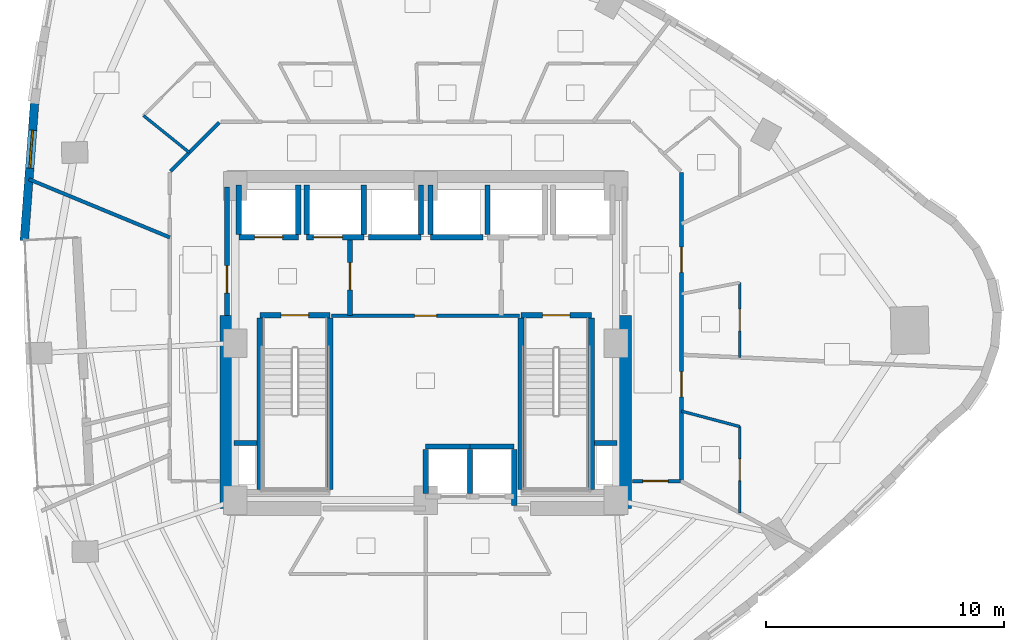
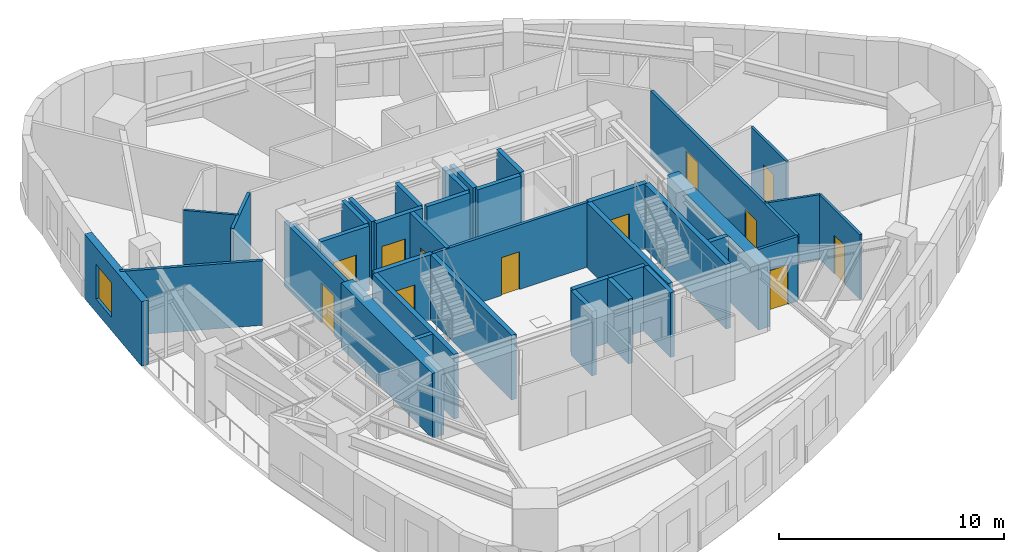
# One storey, part 6 of 12: 38 walls, 12 doors, 1 window, 13 openings.
"""IFC4 building model written with IfcOpenShell, lengths in metres."""

from ifc_helpers import new_model, si_unit, direction, frame, frame_2d, origin, place, context, subcontext, project, spatial, rectangle, extrude, material, layer, layer_set, type_object, element, fill, save


model = new_model("IFC4")

# Units and contexts
model_context = context("Model", 3, precision=1e-05, world=origin(), true_north=direction((0.0, 1.0)))
body_context = subcontext(model_context, "Body", "Model", "MODEL_VIEW")
ifc_project = project(units=[si_unit("LENGTHUNIT", "METRE"), si_unit("AREAUNIT", "SQUARE_METRE"), si_unit("VOLUMEUNIT", "CUBIC_METRE"), si_unit("PLANEANGLEUNIT", "RADIAN"), si_unit("MASSUNIT", "GRAM", prefix="KILO")], contexts=[model_context])

# Site, building, storey
site_placement = place(None, origin())
site = spatial("IfcSite", under=ifc_project, at=site_placement, CompositionType="ELEMENT")
building_placement = place(site_placement, origin())
building = spatial("IfcBuilding", under=site, at=building_placement, Name="Ndelora Gate Hotel", CompositionType="ELEMENT")
storey_placement = place(building_placement, frame((0.0, 0.0, 131.0)))
storey = spatial("IfcBuildingStorey", under=building, at=storey_placement, Name="L32", CompositionType="ELEMENT", Elevation=131.0)

# Wall, opening, window
ifc_material_1 = material(Name="Clay Brick Masonry", Category="masonry")
ifc_layer_1 = layer(ifc_material_1, 0.360107421875)
ifc_layer_set_1 = layer_set([ifc_layer_1], Name="Clay Brick Masonry")
wall_type_1 = type_object("IfcWallType", Name="WL-BRICK-360", PredefinedType="SOLIDWALL", material=ifc_layer_set_1)
wall_1_placement = place(storey_placement, frame((-16.866943359375, 4.29833984375, 0.0), z_axis=(0.0, 0.0, 1.0), x_axis=(0.074873276991, 0.997193056731, 0.0)))
wall_1 = element("IfcWall", 1, at=wall_1_placement, inside=storey, type_object=wall_type_1, Name="L32 Tower Brick Pier-and-Spandrel Wall TWR-11", PredefinedType="SOLIDWALL", context=body_context, shape_type="SweptSolid", body=[
    extrude(rectangle(XDim=5.826904296875, YDim=0.360107421875, at=frame_2d((2.91357421875, 0.0))), origin(), (0.0, 0.0, 1.0), 3.5),
])
opening_1_placement = place(wall_1_placement, frame((3.06005859375, 0.0, 0.719970703125)))
opening_1 = element("IfcOpeningElement", 2, at=opening_1_placement, cuts=wall_1, Name="Opening W01", PredefinedType="OPENING", context=body_context, shape_type="SweptSolid", body=[
    extrude(rectangle(XDim=1.60009765625, YDim=1.8798828125, at=frame_2d((0.800048828125, 0.93994140625))), frame((0.0, 0.18994140625, 0.0), z_axis=(0.0, -1.0, 0.0), x_axis=(1.0, 0.0, 0.0)), (0.0, 0.0, 1.0), 0.380126953125),
])
ifc_material_2 = material(Name="Insulated Low-E Double Glazing in Bronze Aluminium Frame", Category="aluminium")
window_type = type_object("IfcWindowType", Name="WN-DEEP-1600", PartitioningType="SINGLE_PANEL", PredefinedType="WINDOW", material=ifc_material_2)
window_placement = place(opening_1_placement, origin())
window = element("IfcWindow", 3, at=window_placement, inside=storey, type_object=window_type, Name="L32 Deep-Set Brick-Pier Window W01", OverallHeight=1.8798828125, OverallWidth=1.60009765625, PartitioningType="SINGLE_PANEL", PredefinedType="WINDOW", context=body_context, shape_type="SweptSolid", body=[
    extrude(rectangle(XDim=1.60009765625, YDim=1.8798828125, at=frame_2d((0.800048828125, 0.93994140625))), frame((0.0, 0.030029296875, 0.0), z_axis=(0.0, -1.0, 0.0), x_axis=(1.0, 0.0, 0.0)), (0.0, 0.0, 1.0), 0.06005859375),
])
fill(opening_1, window)

# Walls
ifc_material_3 = material(Name="Concrete C60/75", Category="concrete")
ifc_layer_2 = layer(ifc_material_3, 0.60009765625)
ifc_layer_set_2 = layer_set([ifc_layer_2], Name="Concrete C60/75")
wall_type_2 = type_object("IfcWallType", Name="WL-CORE-600", PredefinedType="SHEAR", material=ifc_layer_set_2)
for number, where, z_axis, x_axis, name in (
    (4, (-8.35009765625, -6.949951171875, 0.0), (0.0, 0.0, 1.0), (0.0, 1.0, 0.0), "L32 Core Shear Wall W"),
    (5, (8.35009765625, -6.949951171875, 0.0), (0.0, 0.0, 1.0), (0.0, 1.0, 0.0), "L32 Core Shear Wall E"),
):
    element("IfcWall", number, at=place(storey_placement, frame(where, z_axis=z_axis, x_axis=x_axis)), inside=storey, type_object=wall_type_2, Name=name, PredefinedType="SHEAR", context=body_context, shape_type="SweptSolid", body=[
        extrude(rectangle(XDim=8.099853515625, YDim=0.60009765625, at=frame_2d((4.0498046875, 0.0))), origin(), (0.0, 0.0, 1.0), 3.5),
    ])

# Wall, opening, door
ifc_material_4 = material(Name="Concrete C40/50", Category="concrete")
ifc_layer_3 = layer(ifc_material_4, 0.199951171875)
ifc_layer_set_3 = layer_set([ifc_layer_3], Name="Concrete C40/50")
wall_type_3 = type_object("IfcWallType", Name="WL-FIRE-200", PredefinedType="PARTITIONING", material=ifc_layer_set_3)
wall_2_placement = place(storey_placement, frame((-3.179931640625, 1.14990234375, 0.0), z_axis=(0.0, 0.0, 1.0), x_axis=(0.0, 1.0, 0.0)))
wall_2 = element("IfcWall", 6, at=wall_2_placement, inside=storey, type_object=wall_type_3, Name="L32 Interior Wall IW-2", PredefinedType="PARTITIONING", context=body_context, shape_type="SweptSolid", body=[
    extrude(rectangle(XDim=3.300048828125, YDim=0.199951171875, at=frame_2d((1.64990234375, 0.0))), origin(), (0.0, 0.0, 1.0), 3.5),
])
opening_2_placement = place(wall_2_placement, frame((1.080078125, 0.0, 0.0)))
opening_2 = element("IfcOpeningElement", 7, at=opening_2_placement, cuts=wall_2, Name="Opening FD1", PredefinedType="OPENING", context=body_context, shape_type="SweptSolid", body=[
    extrude(rectangle(XDim=1.14990234375, YDim=2.14990234375, at=frame_2d((0.574951171875, 1.074951171875))), frame((0.0, 0.10986328125, 0.0), z_axis=(0.0, -1.0, 0.0), x_axis=(1.0, 0.0, 0.0)), (0.0, 0.0, 1.0), 0.219970703125),
])
ifc_material_5 = material(Name="Fire-Rated Timber-Veneer Steel Core", Category="steel")
door_type_1 = type_object("IfcDoorType", Name="DR-FD60", OperationType="SINGLE_SWING_LEFT", PredefinedType="DOOR", material=ifc_material_5)
door_1_placement = place(opening_2_placement, origin())
door_1 = element("IfcDoor", 8, at=door_1_placement, inside=storey, type_object=door_type_1, Name="L32 Firefighting Lobby West Door", OperationType="SINGLE_SWING_RIGHT", OverallHeight=2.14990234375, OverallWidth=1.14990234375, PredefinedType="DOOR", context=body_context, shape_type="SweptSolid", body=[
    extrude(rectangle(XDim=1.14990234375, YDim=2.14990234375, at=frame_2d((0.574951171875, 1.074951171875))), frame((0.0, 0.02490234375, 0.0), z_axis=(0.0, -1.0, 0.0), x_axis=(1.0, 0.0, 0.0)), (0.0, 0.0, 1.0), 0.050048828125),
])
fill(opening_2, door_1)

wall_3_placement = place(storey_placement, frame((-8.35009765625, 1.14990234375, 0.0), z_axis=(0.0, 0.0, 1.0), x_axis=(0.0, 1.0, 0.0)))
wall_3 = element("IfcWall", 9, at=wall_3_placement, inside=storey, type_object=wall_type_3, Name="L32 Interior Wall IW-2", PredefinedType="PARTITIONING", context=body_context, shape_type="SweptSolid", body=[
    extrude(rectangle(XDim=5.400146484375, YDim=0.199951171875, at=frame_2d((2.7001953125, 0.0))), origin(), (0.0, 0.0, 1.0), 3.5),
])
opening_3_placement = place(wall_3_placement, frame((0.949951171875, 0.0, 0.0)))
opening_3 = element("IfcOpeningElement", 10, at=opening_3_placement, cuts=wall_3, Name="Opening FD1", PredefinedType="OPENING", context=body_context, shape_type="SweptSolid", body=[
    extrude(rectangle(XDim=1.14990234375, YDim=2.14990234375, at=frame_2d((0.574951171875, 1.074951171875))), frame((0.0, 0.10986328125, 0.0), z_axis=(0.0, -1.0, 0.0), x_axis=(1.0, 0.0, 0.0)), (0.0, 0.0, 1.0), 0.219970703125),
])
door_2_placement = place(opening_3_placement, origin())
door_2 = element("IfcDoor", 11, at=door_2_placement, inside=storey, type_object=door_type_1, Name="L32 Firefighting Lobby West Corridor Door", OperationType="SINGLE_SWING_LEFT", OverallHeight=2.14990234375, OverallWidth=1.14990234375, PredefinedType="DOOR", context=body_context, shape_type="SweptSolid", body=[
    extrude(rectangle(XDim=1.14990234375, YDim=2.14990234375, at=frame_2d((0.574951171875, 1.074951171875))), frame((0.0, 0.02490234375, 0.0), z_axis=(0.0, -1.0, 0.0), x_axis=(1.0, 0.0, 0.0)), (0.0, 0.0, 1.0), 0.050048828125),
])
fill(opening_3, door_2)

ifc_material_6 = material(Name="Fire-Rated Gypsum Stud Partition", Category="gypsum")
ifc_layer_4 = layer(ifc_material_6, 0.14990234375)
ifc_layer_set_4 = layer_set([ifc_layer_4], Name="Fire-Rated Gypsum Stud Partition")
wall_type_4 = type_object("IfcWallType", Name="WL-PART-150", PredefinedType="PARTITIONING", material=ifc_layer_set_4)
wall_4_placement = place(storey_placement, frame((3.949951171875, 1.14990234375, 0.0), z_axis=(0.0, 0.0, 1.0), x_axis=(-1.0, 0.0, 0.0)))
wall_4 = element("IfcWall", 12, at=wall_4_placement, inside=storey, type_object=wall_type_4, Name="L32 Interior Wall IW-5", PredefinedType="PARTITIONING", context=body_context, shape_type="SweptSolid", body=[
    extrude(rectangle(XDim=7.89990234375, YDim=0.14990234375, at=frame_2d((3.949951171875, 0.0))), origin(), (0.0, 0.0, 1.0), 3.5),
])
opening_4_placement = place(wall_4_placement, frame((3.489990234375, 0.0, 0.0)))
opening_4 = element("IfcOpeningElement", 13, at=opening_4_placement, cuts=wall_4, Name="Opening D04", PredefinedType="OPENING", context=body_context, shape_type="SweptSolid", body=[
    extrude(rectangle(XDim=0.919921875, YDim=2.050048828125, at=frame_2d((0.4599609375, 1.02490234375))), frame((0.0, 0.0849609375, 0.0), z_axis=(0.0, -1.0, 0.0), x_axis=(1.0, 0.0, 0.0)), (0.0, 0.0, 1.0), 0.169921875),
])
ifc_material_7 = material(Name="Painted Steel Core Service Door", Category="steel")
door_type_2 = type_object("IfcDoorType", Name="DR-SER-920", OperationType="SINGLE_SWING_LEFT", PredefinedType="DOOR", material=ifc_material_7)
door_3_placement = place(opening_4_placement, origin())
door_3 = element("IfcDoor", 14, at=door_3_placement, inside=storey, type_object=door_type_2, Name="L32 Core Electrical and Linen Service Store Door", OperationType="SINGLE_SWING_LEFT", OverallHeight=2.050048828125, OverallWidth=0.919921875, PredefinedType="DOOR", context=body_context, shape_type="SweptSolid", body=[
    extrude(rectangle(XDim=0.919921875, YDim=2.050048828125, at=frame_2d((0.4599609375, 1.02490234375))), frame((0.0, 0.02490234375, 0.0), z_axis=(0.0, -1.0, 0.0), x_axis=(1.0, 0.0, 0.0)), (0.0, 0.0, 1.0), 0.050048828125),
])
fill(opening_4, door_3)

wall_5_placement = place(storey_placement, frame((10.7099609375, -5.800048828125, 0.0), z_axis=(0.0, 0.0, 1.0), x_axis=(-1.0, 0.0, 0.0)))
wall_5 = element("IfcWall", 15, at=wall_5_placement, inside=storey, type_object=wall_type_4, Name="L32 Interior Wall IW-5", PredefinedType="PARTITIONING", context=body_context, shape_type="SweptSolid", body=[
    extrude(rectangle(XDim=2.02001953125, YDim=0.14990234375, at=frame_2d((1.010009765625, 0.0))), origin(), (0.0, 0.0, 1.0), 3.5),
])
opening_5_placement = place(wall_5_placement, frame((0.52001953125, 0.0, 0.0)))
opening_5 = element("IfcOpeningElement", 16, at=opening_5_placement, cuts=wall_5, Name="Opening D07", PredefinedType="OPENING", context=body_context, shape_type="SweptSolid", body=[
    extrude(rectangle(XDim=1.06005859375, YDim=2.14990234375, at=frame_2d((0.530029296875, 1.074951171875))), frame((0.0, 0.0849609375, 0.0), z_axis=(0.0, -1.0, 0.0), x_axis=(1.0, 0.0, 0.0)), (0.0, 0.0, 1.0), 0.169921875),
])
ifc_material_8 = material(Name="Diplomatic Suite Acoustic Entrance Door", Category="wood")
door_type_3 = type_object("IfcDoorType", Name="DR-SUITE-1060", OperationType="SINGLE_SWING_LEFT", PredefinedType="DOOR", material=ifc_material_8)
door_4_placement = place(opening_5_placement, origin())
door_4 = element("IfcDoor", 17, at=door_4_placement, inside=storey, type_object=door_type_3, Name="L32 Club King Corner Suite 3502 Entrance Door", OperationType="SINGLE_SWING_LEFT", OverallHeight=2.14990234375, OverallWidth=1.06005859375, PredefinedType="DOOR", context=body_context, shape_type="SweptSolid", body=[
    extrude(rectangle(XDim=1.06005859375, YDim=2.14990234375, at=frame_2d((0.530029296875, 1.074951171875))), frame((0.0, 0.02490234375, 0.0), z_axis=(0.0, -1.0, 0.0), x_axis=(1.0, 0.0, 0.0)), (0.0, 0.0, 1.0), 0.050048828125),
])
fill(opening_5, door_4)

# Wall, openings, doors
wall_6_placement = place(storey_placement, frame((10.75, 7.159912109375, 0.0), z_axis=(0.0, 0.0, 1.0), x_axis=(0.0, -1.0, 0.0)))
wall_6 = element("IfcWall", 18, at=wall_6_placement, inside=storey, type_object=wall_type_4, Name="L32 Interior Wall IW-5", PredefinedType="PARTITIONING", context=body_context, shape_type="SweptSolid", body=[
    extrude(rectangle(XDim=12.919921875, YDim=0.14990234375, at=frame_2d((6.4599609375, 0.0))), origin(), (0.0, 0.0, 1.0), 3.5),
])
opening_6_placement = place(wall_6_placement, frame((8.358642578125, 0.0, 0.0)))
opening_6 = element("IfcOpeningElement", 19, at=opening_6_placement, cuts=wall_6, Name="Opening D07", PredefinedType="OPENING", context=body_context, shape_type="SweptSolid", body=[
    extrude(rectangle(XDim=1.06005859375, YDim=2.14990234375, at=frame_2d((0.530029296875, 1.074951171875))), frame((0.0, 0.0849609375, 0.0), z_axis=(0.0, -1.0, 0.0), x_axis=(1.0, 0.0, 0.0)), (0.0, 0.0, 1.0), 0.169921875),
])
opening_7_placement = place(wall_6_placement, frame((3.13232421875, 0.0, 0.0)))
opening_7 = element("IfcOpeningElement", 20, at=opening_7_placement, cuts=wall_6, Name="Opening D07", PredefinedType="OPENING", context=body_context, shape_type="SweptSolid", body=[
    extrude(rectangle(XDim=1.06005859375, YDim=2.14990234375, at=frame_2d((0.530029296875, 1.074951171875))), frame((0.0, 0.0849609375, 0.0), z_axis=(0.0, -1.0, 0.0), x_axis=(1.0, 0.0, 0.0)), (0.0, 0.0, 1.0), 0.169921875),
])
door_5_placement = place(opening_6_placement, origin())
door_5 = element("IfcDoor", 21, at=door_5_placement, inside=storey, type_object=door_type_3, Name="L32 Corner Junior Suite 3503 Entrance Door", OperationType="SINGLE_SWING_LEFT", OverallHeight=2.14990234375, OverallWidth=1.06005859375, PredefinedType="DOOR", context=body_context, shape_type="SweptSolid", body=[
    extrude(rectangle(XDim=1.06005859375, YDim=2.14990234375, at=frame_2d((0.530029296875, 1.074951171875))), frame((0.0, 0.02490234375, 0.0), z_axis=(0.0, -1.0, 0.0), x_axis=(1.0, 0.0, 0.0)), (0.0, 0.0, 1.0), 0.050048828125),
])
fill(opening_6, door_5)
door_6_placement = place(opening_7_placement, origin())
door_6 = element("IfcDoor", 22, at=door_6_placement, inside=storey, type_object=door_type_3, Name="L32 Club Superior Junior Suite 3504 Entrance Door", OperationType="SINGLE_SWING_RIGHT", OverallHeight=2.14990234375, OverallWidth=1.06005859375, PredefinedType="DOOR", context=body_context, shape_type="SweptSolid", body=[
    extrude(rectangle(XDim=1.06005859375, YDim=2.14990234375, at=frame_2d((0.530029296875, 1.074951171875))), frame((0.0, 0.02490234375, 0.0), z_axis=(0.0, -1.0, 0.0), x_axis=(1.0, 0.0, 0.0)), (0.0, 0.0, 1.0), 0.050048828125),
])
fill(opening_7, door_6)

# Walls
wall_7_placement = place(storey_placement, frame((-10.7216796875, 7.228271484375, 0.0), z_axis=(0.0, 0.0, 1.0), x_axis=(0.707106781187, 0.707106781187, 0.0)))
element("IfcWall", 23, at=wall_7_placement, inside=storey, type_object=wall_type_4, Name="L32 Interior Wall IW-5", PredefinedType="PARTITIONING", context=body_context, shape_type="SweptSolid", body=[
    extrude(rectangle(XDim=2.889892578125, YDim=0.14990234375, at=frame_2d((1.44482421875, 0.0))), origin(), (0.0, 0.0, 1.0), 3.5),
])
wall_8_placement = place(storey_placement, frame((-10.75, 4.437744140625, 0.0), z_axis=(0.0, 0.0, 1.0), x_axis=(-0.924334473985, 0.381583254615, 0.0)))
element("IfcWall", 24, at=wall_8_placement, inside=storey, type_object=wall_type_4, Name="L32 Interior Wall IW-5", PredefinedType="PARTITIONING", context=body_context, shape_type="SweptSolid", body=[
    extrude(rectangle(XDim=6.40771484375, YDim=0.14990234375, at=frame_2d((3.203857421875, 0.0))), origin(), (0.0, 0.0, 1.0), 3.5),
])
ifc_layer_5 = layer(ifc_material_4, 0.219970703125)
ifc_layer_set_5 = layer_set([ifc_layer_5], Name="Concrete C40/50")
wall_type_5 = type_object("IfcWallType", Name="WL-SHAFT-220", PredefinedType="PARTITIONING", material=ifc_layer_set_5)
for number, where, z_axis, x_axis, name in (
    (25, (-8.050048828125, -4.199951171875, 0.0), (0.0, 0.0, 1.0), (1.0, 0.0, 0.0), "L32 Interior Wall IW-1"),
    (26, (7.090087890625, -4.199951171875, 0.0), (0.0, 0.0, 1.0), (1.0, 0.0, 0.0), "L32 Interior Wall IW-1"),
):
    element("IfcWall", number, at=place(storey_placement, frame(where, z_axis=z_axis, x_axis=x_axis)), inside=storey, type_object=wall_type_5, Name=name, PredefinedType="PARTITIONING", context=body_context, shape_type="SweptSolid", body=[
        extrude(rectangle(XDim=0.9599609375, YDim=0.219970703125, at=frame_2d((0.47998046875, 0.0))), origin(), (0.0, 0.0, 1.0), 3.5),
    ])

# Wall, opening, door
wall_9_placement = place(storey_placement, frame((-7.85009765625, 4.449951171875, 0.0), z_axis=(0.0, 0.0, 1.0), x_axis=(1.0, 0.0, 0.0)))
wall_9 = element("IfcWall", 27, at=wall_9_placement, inside=storey, type_object=wall_type_5, Name="L32 Interior Wall IW-1", PredefinedType="PARTITIONING", context=body_context, shape_type="SweptSolid", body=[
    extrude(rectangle(XDim=2.5, YDim=0.219970703125, at=frame_2d((1.25, 0.0))), origin(), (0.0, 0.0, 1.0), 3.5),
])
opening_8_placement = place(wall_9_placement, frame((0.659912109375, 0.0, 0.0)))
opening_8 = element("IfcOpeningElement", 28, at=opening_8_placement, cuts=wall_9, Name="Opening LD5", PredefinedType="OPENING", context=body_context, shape_type="SweptSolid", body=[
    extrude(rectangle(XDim=1.179931640625, YDim=2.14990234375, at=frame_2d((0.58984375, 1.074951171875))), frame((0.0, 0.1201171875, 0.0), z_axis=(0.0, -1.0, 0.0), x_axis=(1.0, 0.0, 0.0)), (0.0, 0.0, 1.0), 0.239990234375),
])
ifc_material_9 = material(Name="Firefighting Lift Stainless Sliding Landing Door", Category="metal")
door_type_4 = type_object("IfcDoorType", Name="DR-LD5", OperationType="DOUBLE_DOOR_SLIDING", PredefinedType="DOOR", material=ifc_material_9)
door_7_placement = place(opening_8_placement, origin())
door_7 = element("IfcDoor", 29, at=door_7_placement, inside=storey, type_object=door_type_4, Name="L32 Lift Landing Sliding Door FFL1", OperationType="DOUBLE_DOOR_SLIDING", OverallHeight=2.14990234375, OverallWidth=1.179931640625, PredefinedType="DOOR", context=body_context, shape_type="SweptSolid", body=[
    extrude(rectangle(XDim=1.179931640625, YDim=2.14990234375, at=frame_2d((0.58984375, 1.074951171875))), frame((0.0, 0.02490234375, 0.0), z_axis=(0.0, -1.0, 0.0), x_axis=(1.0, 0.0, 0.0)), (0.0, 0.0, 1.0), 0.050048828125),
])
fill(opening_8, door_7)

# Walls
wall_10_placement = place(storey_placement, frame((-7.85009765625, 4.570068359375, 0.0), z_axis=(0.0, 0.0, 1.0), x_axis=(0.0, 1.0, 0.0)))
element("IfcWall", 30, at=wall_10_placement, inside=storey, type_object=wall_type_5, Name="L32 Interior Wall IW-1", PredefinedType="PARTITIONING", context=body_context, shape_type="SweptSolid", body=[
    extrude(rectangle(XDim=2.079833984375, YDim=0.219970703125, at=frame_2d((1.0400390625, 0.0))), origin(), (0.0, 0.0, 1.0), 3.1201171875),
])
wall_11_placement = place(storey_placement, frame((-5.35009765625, 4.570068359375, 0.0), z_axis=(0.0, 0.0, 1.0), x_axis=(0.0, 1.0, 0.0)))
element("IfcWall", 31, at=wall_11_placement, inside=storey, type_object=wall_type_5, Name="L32 Interior Wall IW-1", PredefinedType="PARTITIONING", context=body_context, shape_type="SweptSolid", body=[
    extrude(rectangle(XDim=2.079833984375, YDim=0.219970703125, at=frame_2d((1.0400390625, 0.0))), origin(), (0.0, 0.0, 1.0), 3.5),
])

# Wall, opening, door
wall_12_placement = place(storey_placement, frame((-5.0, 4.449951171875, 0.0), z_axis=(0.0, 0.0, 1.0), x_axis=(1.0, 0.0, 0.0)))
wall_12 = element("IfcWall", 32, at=wall_12_placement, inside=storey, type_object=wall_type_5, Name="L32 Interior Wall IW-1", PredefinedType="PARTITIONING", context=body_context, shape_type="SweptSolid", body=[
    extrude(rectangle(XDim=2.39990234375, YDim=0.219970703125, at=frame_2d((1.199951171875, 0.0))), origin(), (0.0, 0.0, 1.0), 3.5),
])
opening_9_placement = place(wall_12_placement, frame((0.280029296875, 0.0, 0.0)))
opening_9 = element("IfcOpeningElement", 33, at=opening_9_placement, cuts=wall_12, Name="Opening LD6", PredefinedType="OPENING", context=body_context, shape_type="SweptSolid", body=[
    extrude(rectangle(XDim=1.219970703125, YDim=2.14990234375, at=frame_2d((0.60986328125, 1.074951171875))), frame((0.0, 0.1201171875, 0.0), z_axis=(0.0, -1.0, 0.0), x_axis=(1.0, 0.0, 0.0)), (0.0, 0.0, 1.0), 0.239990234375),
])
ifc_material_10 = material(Name="Heavy-Duty Service Lift Sliding Landing Door", Category="wood")
door_type_5 = type_object("IfcDoorType", Name="DR-LD6", OperationType="DOUBLE_DOOR_SLIDING", PredefinedType="DOOR", material=ifc_material_10)
door_8_placement = place(opening_9_placement, origin())
door_8 = element("IfcDoor", 34, at=door_8_placement, inside=storey, type_object=door_type_5, Name="L32 Lift Landing Sliding Door SVL1", OperationType="DOUBLE_DOOR_SLIDING", OverallHeight=2.14990234375, OverallWidth=1.219970703125, PredefinedType="DOOR", context=body_context, shape_type="SweptSolid", body=[
    extrude(rectangle(XDim=1.219970703125, YDim=2.14990234375, at=frame_2d((0.60986328125, 1.074951171875))), frame((0.0, 0.02490234375, 0.0), z_axis=(0.0, -1.0, 0.0), x_axis=(1.0, 0.0, 0.0)), (0.0, 0.0, 1.0), 0.050048828125),
])
fill(opening_9, door_8)

# Walls
for number, where, z_axis, x_axis, name in (
    (35, (-5.0, 4.570068359375, 0.0), (0.0, 0.0, 1.0), (0.0, 1.0, 0.0), "L32 Interior Wall IW-1"),
    (36, (-2.60009765625, 4.570068359375, 0.0), (0.0, 0.0, 1.0), (0.0, 1.0, 0.0), "L32 Interior Wall IW-1"),
    (37, (2.60009765625, 4.570068359375, 0.0), (0.0, 0.0, 1.0), (0.0, 1.0, 0.0), "L32 Interior Wall IW-1"),
):
    element("IfcWall", number, at=place(storey_placement, frame(where, z_axis=z_axis, x_axis=x_axis)), inside=storey, type_object=wall_type_5, Name=name, PredefinedType="PARTITIONING", context=body_context, shape_type="SweptSolid", body=[
        extrude(rectangle(XDim=2.079833984375, YDim=0.219970703125, at=frame_2d((1.0400390625, 0.0))), origin(), (0.0, 0.0, 1.0), 3.5),
    ])
for number, where, z_axis, x_axis, name in (
    (38, (0.0, -4.35009765625, 0.0), (0.0, 0.0, 1.0), (1.0, 0.0, 0.0), "L32 Interior Wall IW-1"),
    (39, (0.0, -6.330078125, 0.0), (0.0, 0.0, 1.0), (0.0, 1.0, 0.0), "L32 Interior Wall IW-1"),
    (40, (1.860107421875, -6.330078125, 0.0), (0.0, 0.0, 1.0), (0.0, 1.0, 0.0), "L32 Interior Wall IW-1"),
):
    element("IfcWall", number, at=place(storey_placement, frame(where, z_axis=z_axis, x_axis=x_axis)), inside=storey, type_object=wall_type_5, Name=name, PredefinedType="PARTITIONING", context=body_context, shape_type="SweptSolid", body=[
        extrude(rectangle(XDim=1.860107421875, YDim=0.219970703125, at=frame_2d((0.93017578125, 0.0))), origin(), (0.0, 0.0, 1.0), 3.5),
    ])
wall_13_placement = place(storey_placement, frame((1.860107421875, -4.35009765625, 0.0), z_axis=(0.0, 0.0, 1.0), x_axis=(1.0, 0.0, 0.0)))
element("IfcWall", 41, at=wall_13_placement, inside=storey, type_object=wall_type_5, Name="L32 Interior Wall IW-1", PredefinedType="PARTITIONING", context=body_context, shape_type="SweptSolid", body=[
    extrude(rectangle(XDim=1.85986328125, YDim=0.219970703125, at=frame_2d((0.929931640625, 0.0))), origin(), (0.0, 0.0, 1.0), 3.5),
])
wall_14_placement = place(storey_placement, frame((3.719970703125, -6.830078125, 0.0), z_axis=(0.0, 0.0, 1.0), x_axis=(0.0, 1.0, 0.0)))
element("IfcWall", 42, at=wall_14_placement, inside=storey, type_object=wall_type_5, Name="L32 Interior Wall IW-1", PredefinedType="PARTITIONING", context=body_context, shape_type="SweptSolid", body=[
    extrude(rectangle(XDim=2.360107421875, YDim=0.219970703125, at=frame_2d((1.18017578125, 0.0))), origin(), (0.0, 0.0, 1.0), 3.5),
])
wall_15_placement = place(storey_placement, frame((-2.39990234375, 4.449951171875, 0.0), z_axis=(0.0, 0.0, 1.0), x_axis=(1.0, 0.0, 0.0)))
element("IfcWall", 43, at=wall_15_placement, inside=storey, type_object=wall_type_5, Name="L32 Interior Wall IW-1", PredefinedType="PARTITIONING", context=body_context, shape_type="SweptSolid", body=[
    extrude(rectangle(XDim=2.199951171875, YDim=0.219970703125, at=frame_2d((1.10009765625, 0.0))), origin(), (0.0, 0.0, 1.0), 3.5),
])
wall_16_placement = place(storey_placement, frame((-0.199951171875, 4.570068359375, 0.0), z_axis=(0.0, 0.0, 1.0), x_axis=(0.0, 1.0, 0.0)))
element("IfcWall", 44, at=wall_16_placement, inside=storey, type_object=wall_type_5, Name="L32 Interior Wall IW-1", PredefinedType="PARTITIONING", context=body_context, shape_type="SweptSolid", body=[
    extrude(rectangle(XDim=2.079833984375, YDim=0.219970703125, at=frame_2d((1.0400390625, 0.0))), origin(), (0.0, 0.0, 1.0), 3.5),
])
wall_17_placement = place(storey_placement, frame((0.199951171875, 4.449951171875, 0.0), z_axis=(0.0, 0.0, 1.0), x_axis=(1.0, 0.0, 0.0)))
element("IfcWall", 45, at=wall_17_placement, inside=storey, type_object=wall_type_5, Name="L32 Interior Wall IW-1", PredefinedType="PARTITIONING", context=body_context, shape_type="SweptSolid", body=[
    extrude(rectangle(XDim=2.199951171875, YDim=0.219970703125, at=frame_2d((1.10009765625, 0.0))), origin(), (0.0, 0.0, 1.0), 3.5),
])
wall_18_placement = place(storey_placement, frame((0.199951171875, 4.570068359375, 0.0), z_axis=(0.0, 0.0, 1.0), x_axis=(0.0, 1.0, 0.0)))
element("IfcWall", 46, at=wall_18_placement, inside=storey, type_object=wall_type_5, Name="L32 Interior Wall IW-1", PredefinedType="PARTITIONING", context=body_context, shape_type="SweptSolid", body=[
    extrude(rectangle(XDim=2.079833984375, YDim=0.219970703125, at=frame_2d((1.0400390625, 0.0))), origin(), (0.0, 0.0, 1.0), 3.5),
])
ifc_material_11 = material(Name="Concrete C50/60", Category="concrete")
ifc_layer_6 = layer(ifc_material_11, 0.239990234375)
ifc_layer_set_6 = layer_set([ifc_layer_6], Name="Concrete C50/60")
wall_type_6 = type_object("IfcWallType", Name="WL-STAIR-240", PredefinedType="SHEAR", material=ifc_layer_set_6)
for number, where, z_axis, x_axis, name in (
    (47, (-6.969970703125, -6.159912109375, 0.0), (0.0, 0.0, 1.0), (0.0, 1.0, 0.0), "L32 Stair Core Shear Wall SW-ST"),
    (48, (-4.010009765625, -6.159912109375, 0.0), (0.0, 0.0, 1.0), (0.0, 1.0, 0.0), "L32 Stair Core Shear Wall SW-ST"),
):
    element("IfcWall", number, at=place(storey_placement, frame(where, z_axis=z_axis, x_axis=x_axis)), inside=storey, type_object=wall_type_6, Name=name, PredefinedType="SHEAR", context=body_context, shape_type="SweptSolid", body=[
        extrude(rectangle(XDim=7.219970703125, YDim=0.239990234375, at=frame_2d((3.60986328125, 0.0))), origin(), (0.0, 0.0, 1.0), 3.5),
    ])

# Wall, opening, door
wall_19_placement = place(storey_placement, frame((-6.969970703125, 1.169921875, 0.0), z_axis=(0.0, 0.0, 1.0), x_axis=(1.0, 0.0, 0.0)))
wall_19 = element("IfcWall", 49, at=wall_19_placement, inside=storey, type_object=wall_type_6, Name="L32 Stair Core Shear Wall SW-ST", PredefinedType="SHEAR", context=body_context, shape_type="SweptSolid", body=[
    extrude(rectangle(XDim=2.9599609375, YDim=0.239990234375, at=frame_2d((1.47998046875, 0.0))), origin(), (0.0, 0.0, 1.0), 3.5),
])
opening_10_placement = place(wall_19_placement, frame((0.89990234375, 0.0, 0.0)))
opening_10 = element("IfcOpeningElement", 50, at=opening_10_placement, cuts=wall_19, Name="Opening FD1", PredefinedType="OPENING", context=body_context, shape_type="SweptSolid", body=[
    extrude(rectangle(XDim=1.14990234375, YDim=2.14990234375, at=frame_2d((0.574951171875, 1.074951171875))), frame((0.0, 0.1298828125, 0.0), z_axis=(0.0, -1.0, 0.0), x_axis=(1.0, 0.0, 0.0)), (0.0, 0.0, 1.0), 0.260009765625),
])
door_9_placement = place(opening_10_placement, origin())
door_9 = element("IfcDoor", 51, at=door_9_placement, inside=storey, type_object=door_type_1, Name="L32 Exit Stair ST4 Door", OperationType="SINGLE_SWING_LEFT", OverallHeight=2.14990234375, OverallWidth=1.14990234375, PredefinedType="DOOR", context=body_context, shape_type="SweptSolid", body=[
    extrude(rectangle(XDim=1.14990234375, YDim=2.14990234375, at=frame_2d((0.574951171875, 1.074951171875))), frame((0.0, 0.02490234375, 0.0), z_axis=(0.0, -1.0, 0.0), x_axis=(1.0, 0.0, 0.0)), (0.0, 0.0, 1.0), 0.050048828125),
])
fill(opening_10, door_9)

# Walls
for number, where, z_axis, x_axis, name in (
    (52, (4.010009765625, -6.159912109375, 0.0), (0.0, 0.0, 1.0), (0.0, 1.0, 0.0), "L32 Stair Core Shear Wall SW-ST"),
    (53, (6.969970703125, -6.159912109375, 0.0), (0.0, 0.0, 1.0), (0.0, 1.0, 0.0), "L32 Stair Core Shear Wall SW-ST"),
):
    element("IfcWall", number, at=place(storey_placement, frame(where, z_axis=z_axis, x_axis=x_axis)), inside=storey, type_object=wall_type_6, Name=name, PredefinedType="SHEAR", context=body_context, shape_type="SweptSolid", body=[
        extrude(rectangle(XDim=7.219970703125, YDim=0.239990234375, at=frame_2d((3.60986328125, 0.0))), origin(), (0.0, 0.0, 1.0), 3.5),
    ])

# Wall, opening, door
wall_20_placement = place(storey_placement, frame((4.010009765625, 1.169921875, 0.0), z_axis=(0.0, 0.0, 1.0), x_axis=(1.0, 0.0, 0.0)))
wall_20 = element("IfcWall", 54, at=wall_20_placement, inside=storey, type_object=wall_type_6, Name="L32 Stair Core Shear Wall SW-ST", PredefinedType="SHEAR", context=body_context, shape_type="SweptSolid", body=[
    extrude(rectangle(XDim=2.9599609375, YDim=0.239990234375, at=frame_2d((1.47998046875, 0.0))), origin(), (0.0, 0.0, 1.0), 3.5),
])
opening_11_placement = place(wall_20_placement, frame((0.89990234375, 0.0, 0.0)))
opening_11 = element("IfcOpeningElement", 55, at=opening_11_placement, cuts=wall_20, Name="Opening FD1", PredefinedType="OPENING", context=body_context, shape_type="SweptSolid", body=[
    extrude(rectangle(XDim=1.14990234375, YDim=2.14990234375, at=frame_2d((0.574951171875, 1.074951171875))), frame((0.0, 0.1298828125, 0.0), z_axis=(0.0, -1.0, 0.0), x_axis=(1.0, 0.0, 0.0)), (0.0, 0.0, 1.0), 0.260009765625),
])
door_10_placement = place(opening_11_placement, origin())
door_10 = element("IfcDoor", 56, at=door_10_placement, inside=storey, type_object=door_type_1, Name="L32 Exit Stair ST5 Door", OperationType="SINGLE_SWING_RIGHT", OverallHeight=2.14990234375, OverallWidth=1.14990234375, PredefinedType="DOOR", context=body_context, shape_type="SweptSolid", body=[
    extrude(rectangle(XDim=1.14990234375, YDim=2.14990234375, at=frame_2d((0.574951171875, 1.074951171875))), frame((0.0, 0.02490234375, 0.0), z_axis=(0.0, -1.0, 0.0), x_axis=(1.0, 0.0, 0.0)), (0.0, 0.0, 1.0), 0.050048828125),
])
fill(opening_11, door_10)

# Wall
ifc_material_12 = material(Name="Moisture-Resistant Bathroom Tile Partition", Category="gypsum")
ifc_layer_7 = layer(ifc_material_12, 0.1201171875)
ifc_layer_set_7 = layer_set([ifc_layer_7], Name="Moisture-Resistant Bathroom Tile Partition")
wall_type_7 = type_object("IfcWallType", Name="WL-WET-120", PredefinedType="PARTITIONING", material=ifc_layer_set_7)
wall_21_placement = place(storey_placement, frame((10.75, -2.8603515625, 0.0), z_axis=(0.0, 0.0, 1.0), x_axis=(0.966378640851, -0.257123166026, 0.0)))
element("IfcWall", 57, at=wall_21_placement, inside=storey, type_object=wall_type_7, Name="L32 Interior Wall IW-7", PredefinedType="PARTITIONING", context=body_context, shape_type="SweptSolid", body=[
    extrude(rectangle(XDim=2.53515625, YDim=0.1201171875, at=frame_2d((1.267578125, 0.0))), origin(), (0.0, 0.0, 1.0), 3.5),
])

# Wall, opening, door
wall_22_placement = place(storey_placement, frame((13.199951171875, -3.51220703125, 0.0), z_axis=(0.0, 0.0, 1.0), x_axis=(0.0, -1.0, 0.0)))
wall_22 = element("IfcWall", 58, at=wall_22_placement, inside=storey, type_object=wall_type_7, Name="L32 Interior Wall IW-7", PredefinedType="PARTITIONING", context=body_context, shape_type="SweptSolid", body=[
    extrude(rectangle(XDim=3.625, YDim=0.1201171875, at=frame_2d((1.8125, 0.0))), origin(), (0.0, 0.0, 1.0), 3.5),
])
opening_12_placement = place(wall_22_placement, frame((1.3525390625, 0.0, 0.0)))
opening_12 = element("IfcOpeningElement", 59, at=opening_12_placement, cuts=wall_22, Name="Opening D03", PredefinedType="OPENING", context=body_context, shape_type="SweptSolid", body=[
    extrude(rectangle(XDim=0.919921875, YDim=2.10009765625, at=frame_2d((0.4599609375, 1.050048828125))), frame((0.0, 0.070068359375, 0.0), z_axis=(0.0, -1.0, 0.0), x_axis=(1.0, 0.0, 0.0)), (0.0, 0.0, 1.0), 0.14013671875),
])
ifc_material_13 = material(Name="Moisture-Resistant Hardwood En-Suite Door", Category="wood")
door_type_6 = type_object("IfcDoorType", Name="DR-BATH-920", OperationType="SINGLE_SWING_LEFT", PredefinedType="DOOR", material=ifc_material_13)
door_11_placement = place(opening_12_placement, origin())
door_11 = element("IfcDoor", 60, at=door_11_placement, inside=storey, type_object=door_type_6, Name="L32 En-suite Bathroom 3503 Door", OperationType="SINGLE_SWING_RIGHT", OverallHeight=2.10009765625, OverallWidth=0.919921875, PredefinedType="DOOR", context=body_context, shape_type="SweptSolid", body=[
    extrude(rectangle(XDim=0.919921875, YDim=2.10009765625, at=frame_2d((0.4599609375, 1.050048828125))), frame((0.0, 0.02490234375, 0.0), z_axis=(0.0, -1.0, 0.0), x_axis=(1.0, 0.0, 0.0)), (0.0, 0.0, 1.0), 0.050048828125),
])
fill(opening_12, door_11)

wall_23_placement = place(storey_placement, frame((13.199951171875, 2.53662109375, 0.0), z_axis=(0.0, 0.0, 1.0), x_axis=(0.0, -1.0, 0.0)))
wall_23 = element("IfcWall", 61, at=wall_23_placement, inside=storey, type_object=wall_type_7, Name="L32 Interior Wall IW-7", PredefinedType="PARTITIONING", context=body_context, shape_type="SweptSolid", body=[
    extrude(rectangle(XDim=3.14111328125, YDim=0.1201171875, at=frame_2d((1.570556640625, 0.0))), origin(), (0.0, 0.0, 1.0), 3.5),
])
opening_13_placement = place(wall_23_placement, frame((1.110595703125, 0.0, 0.0)))
opening_13 = element("IfcOpeningElement", 62, at=opening_13_placement, cuts=wall_23, Name="Opening D03", PredefinedType="OPENING", context=body_context, shape_type="SweptSolid", body=[
    extrude(rectangle(XDim=0.919921875, YDim=2.10009765625, at=frame_2d((0.4599609375, 1.050048828125))), frame((0.0, 0.070068359375, 0.0), z_axis=(0.0, -1.0, 0.0), x_axis=(1.0, 0.0, 0.0)), (0.0, 0.0, 1.0), 0.14013671875),
])
door_12_placement = place(opening_13_placement, origin())
door_12 = element("IfcDoor", 63, at=door_12_placement, inside=storey, type_object=door_type_6, Name="L32 En-suite Bathroom 3504 Door", OperationType="SINGLE_SWING_LEFT", OverallHeight=2.10009765625, OverallWidth=0.919921875, PredefinedType="DOOR", context=body_context, shape_type="SweptSolid", body=[
    extrude(rectangle(XDim=0.919921875, YDim=2.10009765625, at=frame_2d((0.4599609375, 1.050048828125))), frame((0.0, 0.02490234375, 0.0), z_axis=(0.0, -1.0, 0.0), x_axis=(1.0, 0.0, 0.0)), (0.0, 0.0, 1.0), 0.050048828125),
])
fill(opening_13, door_12)

# Wall
wall_24_placement = place(storey_placement, frame((-11.857421875, 9.5576171875, 0.0), z_axis=(0.0, 0.0, 1.0), x_axis=(0.778601964437, -0.627518112069, 0.0)))
element("IfcWall", 64, at=wall_24_placement, inside=storey, type_object=wall_type_7, Name="L32 Interior Wall IW-7", PredefinedType="PARTITIONING", context=body_context, shape_type="SweptSolid", body=[
    extrude(rectangle(XDim=2.46435546875, YDim=0.1201171875, at=frame_2d((1.232177734375, 0.0))), origin(), (0.0, 0.0, 1.0), 3.5),
])

save(model, "model.ifc")
